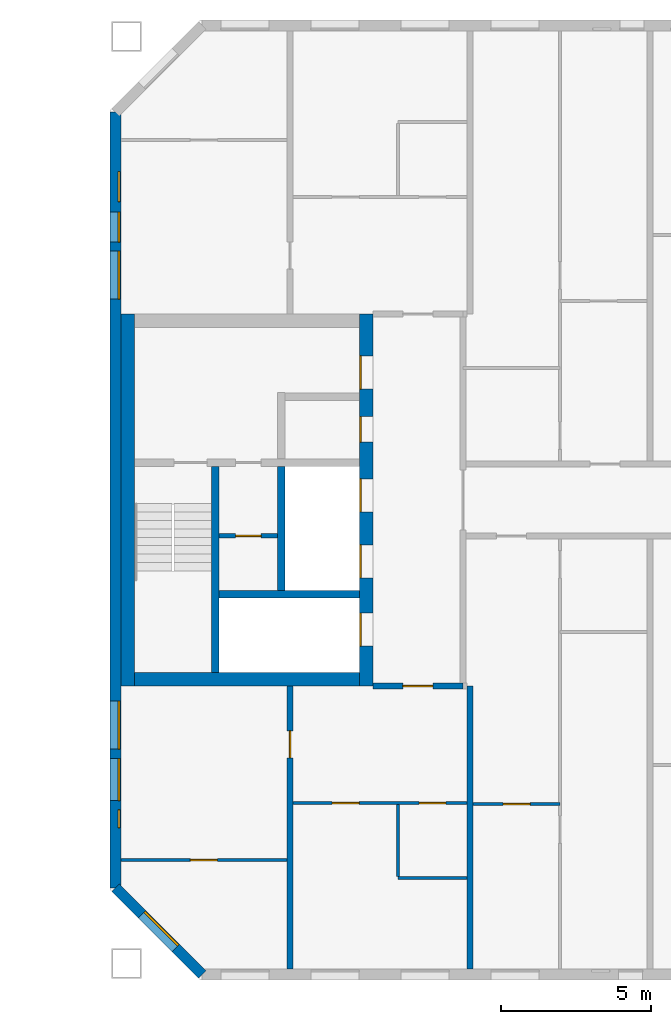
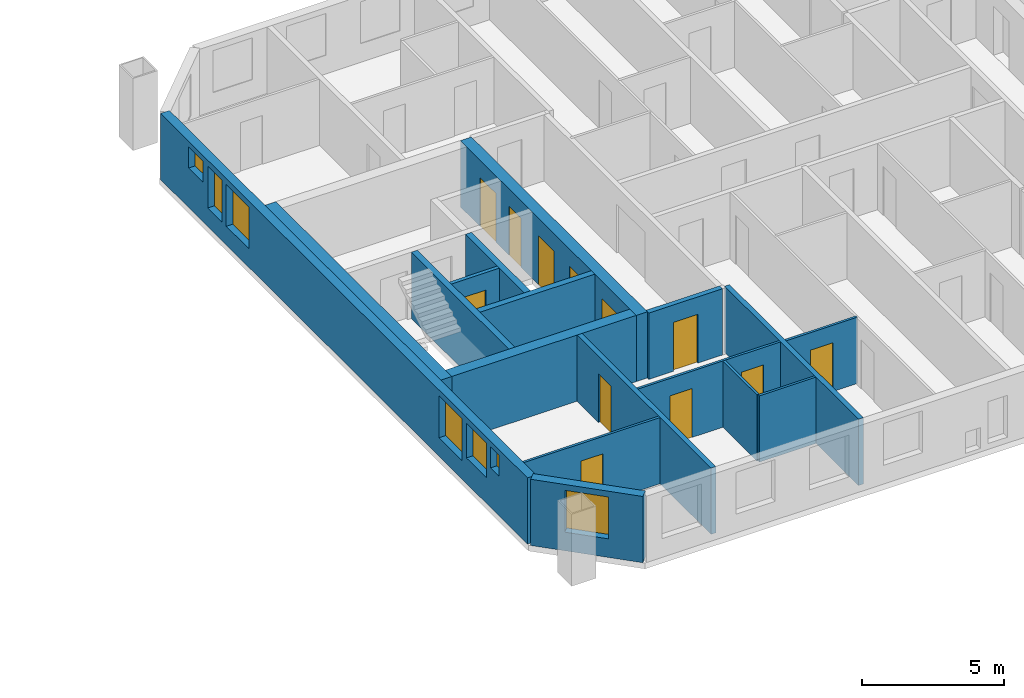
# One storey, part 8 of 15: 17 walls, 12 doors, 7 windows, 19 openings.
"""IFC4 building model written with IfcOpenShell, lengths in metres."""

from ifc_helpers import new_model, si_unit, direction, frame, frame_2d, origin, place, context, subcontext, project, spatial, rectangle, extrude, material, layer, layer_set, type_object, element, fill, save


model = new_model("IFC4")

# Units and contexts
model_context = context("Model", 3, precision=1e-05, world=origin(), true_north=direction((0.0, 1.0)))
body_context = subcontext(model_context, "Body", "Model", "MODEL_VIEW")
ifc_project = project(units=[si_unit("LENGTHUNIT", "METRE"), si_unit("AREAUNIT", "SQUARE_METRE"), si_unit("VOLUMEUNIT", "CUBIC_METRE"), si_unit("PLANEANGLEUNIT", "RADIAN"), si_unit("MASSUNIT", "GRAM", prefix="KILO")], contexts=[model_context])

# Site, building, storey
site_placement = place(None, origin())
site = spatial("IfcSite", under=ifc_project, at=site_placement, CompositionType="ELEMENT")
building_placement = place(site_placement, origin())
building = spatial("IfcBuilding", under=site, at=building_placement, Name="Tuart Gate Housing", CompositionType="ELEMENT")
storey_placement = place(building_placement, frame((0.0, 0.0, 188.199951171875)))
storey = spatial("IfcBuildingStorey", under=building, at=storey_placement, Name="L53", CompositionType="ELEMENT", Elevation=188.199951171875)

# Wall, opening, window
ifc_material_1 = material(Name="Brick", Category="masonry")
ifc_layer_1 = layer(ifc_material_1, 0.360107421875)
ifc_layer_set_1 = layer_set([ifc_layer_1], Name="Brick pier and spandrel wall 360")
wall_type_1 = type_object("IfcWallType", Name="Brick pier and spandrel wall 360", PredefinedType="STANDARD", material=ifc_layer_set_1)
wall_1_placement = place(storey_placement, frame((131.179931640625, 57.07470703125, 0.0), z_axis=(0.0, 0.0, 1.0), x_axis=(0.707106781187, -0.707106781187, 0.0)))
wall_1 = element("IfcWall", 1, at=wall_1_placement, inside=storey, type_object=wall_type_1, Name="External wall B-SW L53", PredefinedType="STANDARD", context=body_context, shape_type="SweptSolid", body=[
    extrude(rectangle(XDim=4.09375, YDim=0.360107421875, at=frame_2d((2.046875, 0.0))), origin(), (0.0, 0.0, 1.0), 2.85009765625),
])
opening_1_placement = place(wall_1_placement, frame((1.2470703125, 0.0, 0.800048828125)))
opening_1 = element("IfcOpeningElement", 2, at=opening_1_placement, cuts=wall_1, Name="Opening W1", PredefinedType="OPENING", context=body_context, shape_type="SweptSolid", body=[
    extrude(rectangle(XDim=1.60009765625, YDim=1.800048828125, at=frame_2d((0.800048828125, 0.89990234375))), frame((0.0, 0.18994140625, 0.0), z_axis=(0.0, -1.0, 0.0), x_axis=(1.0, 0.0, 0.0)), (0.0, 0.0, 1.0), 0.380126953125),
])
ifc_material_2 = material(Name="Aluminium frame with clear glass", Category="aluminium")
window_type_1 = type_object("IfcWindowType", Name="Punched window 1600 x 1800", PartitioningType="SINGLE_PANEL", PredefinedType="WINDOW", material=ifc_material_2)
window_1_placement = place(opening_1_placement, origin())
window_1 = element("IfcWindow", 3, at=window_1_placement, inside=storey, type_object=window_type_1, Name="Window W1", OverallHeight=1.800048828125, OverallWidth=1.60009765625, PartitioningType="SINGLE_PANEL", PredefinedType="WINDOW", context=body_context, shape_type="SweptSolid", body=[
    extrude(rectangle(XDim=1.60009765625, YDim=1.800048828125, at=frame_2d((0.800048828125, 0.89990234375))), frame((0.0, 0.150146484375, 0.0), z_axis=(0.0, -1.0, 0.0), x_axis=(1.0, 0.0, 0.0)), (0.0, 0.0, 1.0), 0.06005859375),
])
fill(opening_1, window_1)

# Wall, openings, windows
wall_2_placement = place(storey_placement, frame((131.179931640625, 82.92529296875, 0.0), z_axis=(0.0, 0.0, 1.0), x_axis=(0.0, -1.0, 0.0)))
wall_2 = element("IfcWall", 4, at=wall_2_placement, inside=storey, type_object=wall_type_1, Name="External wall B-W L53", PredefinedType="STANDARD", context=body_context, shape_type="SweptSolid", body=[
    extrude(rectangle(XDim=25.850830078125, YDim=0.360107421875, at=frame_2d((12.92529296875, 0.0))), origin(), (0.0, 0.0, 1.0), 2.85009765625),
])
opening_2_placement = place(wall_2_placement, frame((1.975341796875, 0.0, 1.699951171875)))
opening_2 = element("IfcOpeningElement", 5, at=opening_2_placement, cuts=wall_2, Name="Opening W1U", PredefinedType="OPENING", context=body_context, shape_type="SweptSolid", body=[
    extrude(rectangle(XDim=1.0, YDim=0.89990234375, at=frame_2d((0.5, 0.449951171875))), frame((0.0, 0.18994140625, 0.0), z_axis=(0.0, -1.0, 0.0), x_axis=(1.0, 0.0, 0.0)), (0.0, 0.0, 1.0), 0.380126953125),
])
opening_3_placement = place(wall_2_placement, frame((4.62548828125, 0.0, 0.800048828125)))
opening_3 = element("IfcOpeningElement", 6, at=opening_3_placement, cuts=wall_2, Name="Opening W1", PredefinedType="OPENING", context=body_context, shape_type="SweptSolid", body=[
    extrude(rectangle(XDim=1.60009765625, YDim=1.800048828125, at=frame_2d((0.800048828125, 0.89990234375))), frame((0.0, 0.18994140625, 0.0), z_axis=(0.0, -1.0, 0.0), x_axis=(1.0, 0.0, 0.0)), (0.0, 0.0, 1.0), 0.380126953125),
])
opening_4_placement = place(wall_2_placement, frame((19.62548828125, 0.0, 0.800048828125)))
opening_4 = element("IfcOpeningElement", 7, at=opening_4_placement, cuts=wall_2, Name="Opening W1", PredefinedType="OPENING", context=body_context, shape_type="SweptSolid", body=[
    extrude(rectangle(XDim=1.60009765625, YDim=1.800048828125, at=frame_2d((0.800048828125, 0.89990234375))), frame((0.0, 0.18994140625, 0.0), z_axis=(0.0, -1.0, 0.0), x_axis=(1.0, 0.0, 0.0)), (0.0, 0.0, 1.0), 0.380126953125),
])
opening_5_placement = place(wall_2_placement, frame((21.55029296875, 0.0, 1.10009765625)))
opening_5 = element("IfcOpeningElement", 8, at=opening_5_placement, cuts=wall_2, Name="Opening W1G", PredefinedType="OPENING", context=body_context, shape_type="SweptSolid", body=[
    extrude(rectangle(XDim=1.39990234375, YDim=1.5, at=frame_2d((0.699951171875, 0.75))), frame((0.0, 0.18994140625, 0.0), z_axis=(0.0, -1.0, 0.0), x_axis=(1.0, 0.0, 0.0)), (0.0, 0.0, 1.0), 0.380126953125),
])
opening_6_placement = place(wall_2_placement, frame((3.325439453125, 0.0, 0.800048828125)))
opening_6 = element("IfcOpeningElement", 9, at=opening_6_placement, cuts=wall_2, Name="Opening W1C", PredefinedType="OPENING", context=body_context, shape_type="SweptSolid", body=[
    extrude(rectangle(XDim=1.0, YDim=1.800048828125, at=frame_2d((0.5, 0.89990234375))), frame((0.0, 0.18994140625, 0.0), z_axis=(0.0, -1.0, 0.0), x_axis=(1.0, 0.0, 0.0)), (0.0, 0.0, 1.0), 0.380126953125),
])
opening_7_placement = place(wall_2_placement, frame((23.25048828125, 0.0, 1.699951171875)))
opening_7 = element("IfcOpeningElement", 10, at=opening_7_placement, cuts=wall_2, Name="Opening W1W", PredefinedType="OPENING", context=body_context, shape_type="SweptSolid", body=[
    extrude(rectangle(XDim=0.60009765625, YDim=0.89990234375, at=frame_2d((0.300048828125, 0.449951171875))), frame((0.0, 0.18994140625, 0.0), z_axis=(0.0, -1.0, 0.0), x_axis=(1.0, 0.0, 0.0)), (0.0, 0.0, 1.0), 0.380126953125),
])
ifc_material_3 = material(Name="Aluminium frame with clear glass", Category="aluminium")
window_type_2 = type_object("IfcWindowType", Name="Punched window 1000 x 1800", PartitioningType="SINGLE_PANEL", PredefinedType="WINDOW", material=ifc_material_3)
window_2_placement = place(opening_6_placement, origin())
window_2 = element("IfcWindow", 11, at=window_2_placement, inside=storey, type_object=window_type_2, Name="Window W1C", OverallHeight=1.800048828125, OverallWidth=1.0, PartitioningType="SINGLE_PANEL", PredefinedType="WINDOW", context=body_context, shape_type="SweptSolid", body=[
    extrude(rectangle(XDim=1.0, YDim=1.800048828125, at=frame_2d((0.5, 0.89990234375))), frame((0.0, 0.150146484375, 0.0), z_axis=(0.0, -1.0, 0.0), x_axis=(1.0, 0.0, 0.0)), (0.0, 0.0, 1.0), 0.06005859375),
])
fill(opening_6, window_2)
ifc_material_4 = material(Name="Aluminium frame with clear glass", Category="aluminium")
window_type_3 = type_object("IfcWindowType", Name="Punched window 1000 x 900", PartitioningType="SINGLE_PANEL", PredefinedType="WINDOW", material=ifc_material_4)
window_3_placement = place(opening_2_placement, origin())
window_3 = element("IfcWindow", 12, at=window_3_placement, inside=storey, type_object=window_type_3, Name="Window W1U", OverallHeight=0.89990234375, OverallWidth=1.0, PartitioningType="SINGLE_PANEL", PredefinedType="WINDOW", context=body_context, shape_type="SweptSolid", body=[
    extrude(rectangle(XDim=1.0, YDim=0.89990234375, at=frame_2d((0.5, 0.449951171875))), frame((0.0, 0.150146484375, 0.0), z_axis=(0.0, -1.0, 0.0), x_axis=(1.0, 0.0, 0.0)), (0.0, 0.0, 1.0), 0.06005859375),
])
fill(opening_2, window_3)
ifc_material_5 = material(Name="Aluminium frame with clear glass", Category="aluminium")
window_type_4 = type_object("IfcWindowType", Name="Punched window 1400 x 1500", PartitioningType="SINGLE_PANEL", PredefinedType="WINDOW", material=ifc_material_5)
window_4_placement = place(opening_5_placement, origin())
window_4 = element("IfcWindow", 13, at=window_4_placement, inside=storey, type_object=window_type_4, Name="Window W1G", OverallHeight=1.5, OverallWidth=1.39990234375, PartitioningType="SINGLE_PANEL", PredefinedType="WINDOW", context=body_context, shape_type="SweptSolid", body=[
    extrude(rectangle(XDim=1.39990234375, YDim=1.5, at=frame_2d((0.699951171875, 0.75))), frame((0.0, 0.150146484375, 0.0), z_axis=(0.0, -1.0, 0.0), x_axis=(1.0, 0.0, 0.0)), (0.0, 0.0, 1.0), 0.06005859375),
])
fill(opening_5, window_4)
window_5_placement = place(opening_3_placement, origin())
window_5 = element("IfcWindow", 14, at=window_5_placement, inside=storey, type_object=window_type_1, Name="Window W1", OverallHeight=1.800048828125, OverallWidth=1.60009765625, PartitioningType="SINGLE_PANEL", PredefinedType="WINDOW", context=body_context, shape_type="SweptSolid", body=[
    extrude(rectangle(XDim=1.60009765625, YDim=1.800048828125, at=frame_2d((0.800048828125, 0.89990234375))), frame((0.0, 0.150146484375, 0.0), z_axis=(0.0, -1.0, 0.0), x_axis=(1.0, 0.0, 0.0)), (0.0, 0.0, 1.0), 0.06005859375),
])
fill(opening_3, window_5)
window_6_placement = place(opening_4_placement, origin())
window_6 = element("IfcWindow", 15, at=window_6_placement, inside=storey, type_object=window_type_1, Name="Window W1", OverallHeight=1.800048828125, OverallWidth=1.60009765625, PartitioningType="SINGLE_PANEL", PredefinedType="WINDOW", context=body_context, shape_type="SweptSolid", body=[
    extrude(rectangle(XDim=1.60009765625, YDim=1.800048828125, at=frame_2d((0.800048828125, 0.89990234375))), frame((0.0, 0.150146484375, 0.0), z_axis=(0.0, -1.0, 0.0), x_axis=(1.0, 0.0, 0.0)), (0.0, 0.0, 1.0), 0.06005859375),
])
fill(opening_4, window_6)
ifc_material_6 = material(Name="Aluminium frame with clear glass", Category="aluminium")
window_type_5 = type_object("IfcWindowType", Name="Punched window 600 x 900", PartitioningType="SINGLE_PANEL", PredefinedType="WINDOW", material=ifc_material_6)
window_7_placement = place(opening_7_placement, origin())
window_7 = element("IfcWindow", 16, at=window_7_placement, inside=storey, type_object=window_type_5, Name="Window W1W", OverallHeight=0.89990234375, OverallWidth=0.60009765625, PartitioningType="SINGLE_PANEL", PredefinedType="WINDOW", context=body_context, shape_type="SweptSolid", body=[
    extrude(rectangle(XDim=0.60009765625, YDim=0.89990234375, at=frame_2d((0.300048828125, 0.449951171875))), frame((0.0, 0.150146484375, 0.0), z_axis=(0.0, -1.0, 0.0), x_axis=(1.0, 0.0, 0.0)), (0.0, 0.0, 1.0), 0.06005859375),
])
fill(opening_7, window_7)

# Wall, opening, door
ifc_material_7 = material(Name="Plasterboard partition")
ifc_layer_2 = layer(ifc_material_7, 0.14990234375)
ifc_layer_set_2 = layer_set([ifc_layer_2], Name="Core partition 150")
wall_type_2 = type_object("IfcWallType", Name="Core partition 150", PredefinedType="PARTITIONING", material=ifc_layer_set_2)
wall_3_placement = place(storey_placement, frame((136.5849609375, 68.800048828125, 0.0), z_axis=(0.0, 0.0, 1.0), x_axis=(-1.0, 0.0, 0.0)))
wall_3 = element("IfcWall", 17, at=wall_3_placement, inside=storey, type_object=wall_type_2, Name="Core partition BG.2", PredefinedType="PARTITIONING", context=body_context, shape_type="SweptSolid", body=[
    extrude(rectangle(XDim=1.949951171875, YDim=0.14990234375, at=frame_2d((0.97509765625, 0.0))), origin(), (0.0, 0.0, 1.0), 2.85009765625),
])
opening_8_placement = place(wall_3_placement, frame((0.550048828125, 0.0, 0.0)))
opening_8 = element("IfcOpeningElement", 18, at=opening_8_placement, cuts=wall_3, Name="Opening D1925", PredefinedType="OPENING", context=body_context, shape_type="SweptSolid", body=[
    extrude(rectangle(XDim=0.85009765625, YDim=2.10009765625, at=frame_2d((0.425048828125, 1.050048828125))), frame((0.0, 0.0849609375, 0.0), z_axis=(0.0, -1.0, 0.0), x_axis=(1.0, 0.0, 0.0)), (0.0, 0.0, 1.0), 0.169921875),
])
ifc_material_8 = material(Name="Steel fire door", Category="steel")
door_type_1 = type_object("IfcDoorType", Name="Service door 850 x 2100 RH", OperationType="SINGLE_SWING_RIGHT", PredefinedType="DOOR", material=ifc_material_8)
door_1_placement = place(opening_8_placement, frame((0.85009765625, 0.0, 0.0), z_axis=(0.0, 0.0, 1.0), x_axis=(-1.0, 0.0, 0.0)))
door_1 = element("IfcDoor", 19, at=door_1_placement, inside=storey, type_object=door_type_1, Name="Service room door BG.W2", OperationType="SINGLE_SWING_RIGHT", OverallHeight=2.10009765625, OverallWidth=0.85009765625, PredefinedType="DOOR", context=body_context, shape_type="SweptSolid", body=[
    extrude(rectangle(XDim=0.85009765625, YDim=2.10009765625, at=frame_2d((0.425048828125, 1.050048828125))), frame((0.0, 0.025146484375, 0.0), z_axis=(0.0, -1.0, 0.0), x_axis=(1.0, 0.0, 0.0)), (0.0, 0.0, 1.0), 0.050048828125),
])
fill(opening_8, door_1)

# Walls
ifc_material_9 = material(Name="Concrete C40", Category="concrete")
ifc_layer_3 = layer(ifc_material_9, 0.25)
ifc_layer_set_3 = layer_set([ifc_layer_3], Name="Core wall 250 C40")
wall_type_3 = type_object("IfcWallType", Name="Core wall 250 C40", PredefinedType="SHEAR", material=ifc_layer_set_3)
wall_4_placement = place(storey_placement, frame((139.31005859375, 66.85009765625, 0.0), z_axis=(0.0, 0.0, 1.0), x_axis=(-1.0, 0.0, 0.0)))
element("IfcWall", 20, at=wall_4_placement, inside=storey, type_object=wall_type_3, Name="Core wall BG.1", PredefinedType="SHEAR", context=body_context, shape_type="SweptSolid", body=[
    extrude(rectangle(XDim=4.675048828125, YDim=0.25, at=frame_2d((2.33740234375, 0.0))), origin(), (0.0, 0.0, 1.0), 2.85009765625),
])
wall_5_placement = place(storey_placement, frame((136.7099609375, 66.97509765625, 0.0), z_axis=(0.0, 0.0, 1.0), x_axis=(0.0, 1.0, 0.0)))
element("IfcWall", 21, at=wall_5_placement, inside=storey, type_object=wall_type_3, Name="Core wall BG.5", PredefinedType="SHEAR", context=body_context, shape_type="SweptSolid", body=[
    extrude(rectangle(XDim=4.14990234375, YDim=0.25, at=frame_2d((2.074951171875, 0.0))), origin(), (0.0, 0.0, 1.0), 2.85009765625),
])
wall_6_placement = place(storey_placement, frame((134.510009765625, 64.25, 0.0), z_axis=(0.0, 0.0, 1.0), x_axis=(0.0, 1.0, 0.0)))
element("IfcWall", 22, at=wall_6_placement, inside=storey, type_object=wall_type_3, Name="Core wall BG.7", PredefinedType="SHEAR", context=body_context, shape_type="SweptSolid", body=[
    extrude(rectangle(XDim=6.875, YDim=0.25, at=frame_2d((3.4375, 0.0))), origin(), (0.0, 0.0, 1.0), 2.85009765625),
])

# Wall, openings, doors
ifc_material_10 = material(Name="Concrete C40", Category="concrete")
ifc_layer_4 = layer(ifc_material_10, 0.449951171875)
ifc_layer_set_4 = layer_set([ifc_layer_4], Name="Core wall 450 C40")
wall_type_4 = type_object("IfcWallType", Name="Core wall 450 C40", PredefinedType="SHEAR", material=ifc_layer_set_4)
wall_7_placement = place(storey_placement, frame((139.534912109375, 63.800048828125, 0.0), z_axis=(0.0, 0.0, 1.0), x_axis=(0.0, 1.0, 0.0)))
wall_7 = element("IfcWall", 23, at=wall_7_placement, inside=storey, type_object=wall_type_4, Name="Core wall BG front", PredefinedType="SHEAR", context=body_context, shape_type="SweptSolid", body=[
    extrude(rectangle(XDim=12.39990234375, YDim=0.449951171875, at=frame_2d((6.199951171875, 0.0))), origin(), (0.0, 0.0, 1.0), 2.85009765625),
])
opening_9_placement = place(wall_7_placement, frame((1.324951171875, 0.0, 0.0)))
opening_9 = element("IfcOpeningElement", 24, at=opening_9_placement, cuts=wall_7, Name="Opening LD-FB1", PredefinedType="OPENING", context=body_context, shape_type="SweptSolid", body=[
    extrude(rectangle(XDim=1.10009765625, YDim=2.10009765625, at=frame_2d((0.550048828125, 1.050048828125))), frame((0.0, 0.23486328125, 0.0), z_axis=(0.0, -1.0, 0.0), x_axis=(1.0, 0.0, 0.0)), (0.0, 0.0, 1.0), 0.469970703125),
])
opening_10_placement = place(wall_7_placement, frame((3.60009765625, 0.0, 0.0)))
opening_10 = element("IfcOpeningElement", 25, at=opening_10_placement, cuts=wall_7, Name="Opening LD-LB1", PredefinedType="OPENING", context=body_context, shape_type="SweptSolid", body=[
    extrude(rectangle(XDim=1.10009765625, YDim=2.10009765625, at=frame_2d((0.550048828125, 1.050048828125))), frame((0.0, 0.23486328125, 0.0), z_axis=(0.0, -1.0, 0.0), x_axis=(1.0, 0.0, 0.0)), (0.0, 0.0, 1.0), 0.469970703125),
])
opening_11_placement = place(wall_7_placement, frame((5.800048828125, 0.0, 0.0)))
opening_11 = element("IfcOpeningElement", 26, at=opening_11_placement, cuts=wall_7, Name="Opening LD-LB2", PredefinedType="OPENING", context=body_context, shape_type="SweptSolid", body=[
    extrude(rectangle(XDim=1.10009765625, YDim=2.10009765625, at=frame_2d((0.550048828125, 1.050048828125))), frame((0.0, 0.23486328125, 0.0), z_axis=(0.0, -1.0, 0.0), x_axis=(1.0, 0.0, 0.0)), (0.0, 0.0, 1.0), 0.469970703125),
])
opening_12_placement = place(wall_7_placement, frame((9.89990234375, 0.0, 0.0)))
opening_12 = element("IfcOpeningElement", 27, at=opening_12_placement, cuts=wall_7, Name="Opening D1917", PredefinedType="OPENING", context=body_context, shape_type="SweptSolid", body=[
    extrude(rectangle(XDim=1.10009765625, YDim=2.10009765625, at=frame_2d((0.550048828125, 1.050048828125))), frame((0.0, 0.23486328125, 0.0), z_axis=(0.0, -1.0, 0.0), x_axis=(1.0, 0.0, 0.0)), (0.0, 0.0, 1.0), 0.469970703125),
])
opening_13_placement = place(wall_7_placement, frame((8.125, 0.0, 0.0)))
opening_13 = element("IfcOpeningElement", 28, at=opening_13_placement, cuts=wall_7, Name="Opening D1918", PredefinedType="OPENING", context=body_context, shape_type="SweptSolid", body=[
    extrude(rectangle(XDim=0.85009765625, YDim=2.10009765625, at=frame_2d((0.425048828125, 1.050048828125))), frame((0.0, 0.23486328125, 0.0), z_axis=(0.0, -1.0, 0.0), x_axis=(1.0, 0.0, 0.0)), (0.0, 0.0, 1.0), 0.469970703125),
])
ifc_material_11 = material(Name="Stainless steel", Category="steel")
door_type_2 = type_object("IfcDoorType", Name="Landing door 1100 x 2100", OperationType="DOUBLE_DOOR_SLIDING", PredefinedType="DOOR", material=ifc_material_11)
door_2_placement = place(opening_9_placement, origin())
door_2 = element("IfcDoor", 29, at=door_2_placement, inside=storey, type_object=door_type_2, Name="Lift landing door FB1", OperationType="DOUBLE_DOOR_SLIDING", OverallHeight=2.10009765625, OverallWidth=1.10009765625, PredefinedType="DOOR", context=body_context, shape_type="SweptSolid", body=[
    extrude(rectangle(XDim=1.10009765625, YDim=2.10009765625, at=frame_2d((0.550048828125, 1.050048828125))), frame((0.0, 0.2099609375, 0.0), z_axis=(0.0, -1.0, 0.0), x_axis=(1.0, 0.0, 0.0)), (0.0, 0.0, 1.0), 0.050048828125),
])
fill(opening_9, door_2)
door_3_placement = place(opening_10_placement, origin())
door_3 = element("IfcDoor", 30, at=door_3_placement, inside=storey, type_object=door_type_2, Name="Lift landing door LB1", OperationType="DOUBLE_DOOR_SLIDING", OverallHeight=2.10009765625, OverallWidth=1.10009765625, PredefinedType="DOOR", context=body_context, shape_type="SweptSolid", body=[
    extrude(rectangle(XDim=1.10009765625, YDim=2.10009765625, at=frame_2d((0.550048828125, 1.050048828125))), frame((0.0, 0.2099609375, 0.0), z_axis=(0.0, -1.0, 0.0), x_axis=(1.0, 0.0, 0.0)), (0.0, 0.0, 1.0), 0.050048828125),
])
fill(opening_10, door_3)
door_4_placement = place(opening_11_placement, origin())
door_4 = element("IfcDoor", 31, at=door_4_placement, inside=storey, type_object=door_type_2, Name="Lift landing door LB2", OperationType="DOUBLE_DOOR_SLIDING", OverallHeight=2.10009765625, OverallWidth=1.10009765625, PredefinedType="DOOR", context=body_context, shape_type="SweptSolid", body=[
    extrude(rectangle(XDim=1.10009765625, YDim=2.10009765625, at=frame_2d((0.550048828125, 1.050048828125))), frame((0.0, 0.2099609375, 0.0), z_axis=(0.0, -1.0, 0.0), x_axis=(1.0, 0.0, 0.0)), (0.0, 0.0, 1.0), 0.050048828125),
])
fill(opening_11, door_4)
ifc_material_12 = material(Name="Steel fire door", Category="steel")
door_type_3 = type_object("IfcDoorType", Name="Lobby door 1100 x 2100", OperationType="SINGLE_SWING_LEFT", PredefinedType="DOOR", material=ifc_material_12)
door_5_placement = place(opening_12_placement, origin())
door_5 = element("IfcDoor", 32, at=door_5_placement, inside=storey, type_object=door_type_3, Name="Lobby entry door BG.EN", OperationType="SINGLE_SWING_LEFT", OverallHeight=2.10009765625, OverallWidth=1.10009765625, PredefinedType="DOOR", context=body_context, shape_type="SweptSolid", body=[
    extrude(rectangle(XDim=1.10009765625, YDim=2.10009765625, at=frame_2d((0.550048828125, 1.050048828125))), frame((0.0, 0.2099609375, 0.0), z_axis=(0.0, -1.0, 0.0), x_axis=(1.0, 0.0, 0.0)), (0.0, 0.0, 1.0), 0.050048828125),
])
fill(opening_12, door_5)
ifc_material_13 = material(Name="Steel fire door", Category="steel")
door_type_4 = type_object("IfcDoorType", Name="Service door 850 x 2100", OperationType="SINGLE_SWING_LEFT", PredefinedType="DOOR", material=ifc_material_13)
door_6_placement = place(opening_13_placement, origin())
door_6 = element("IfcDoor", 33, at=door_6_placement, inside=storey, type_object=door_type_4, Name="Service room door BG.T1", OperationType="SINGLE_SWING_LEFT", OverallHeight=2.10009765625, OverallWidth=0.85009765625, PredefinedType="DOOR", context=body_context, shape_type="SweptSolid", body=[
    extrude(rectangle(XDim=0.85009765625, YDim=2.10009765625, at=frame_2d((0.425048828125, 1.050048828125))), frame((0.0, 0.2099609375, 0.0), z_axis=(0.0, -1.0, 0.0), x_axis=(1.0, 0.0, 0.0)), (0.0, 0.0, 1.0), 0.050048828125),
])
fill(opening_13, door_6)

# Walls
wall_8_placement = place(storey_placement, frame((131.5849609375, 63.800048828125, 0.0), z_axis=(0.0, 0.0, 1.0), x_axis=(0.0, 1.0, 0.0)))
element("IfcWall", 34, at=wall_8_placement, inside=storey, type_object=wall_type_4, Name="Core wall BG back", PredefinedType="SHEAR", context=body_context, shape_type="SweptSolid", body=[
    extrude(rectangle(XDim=12.39990234375, YDim=0.449951171875, at=frame_2d((6.199951171875, 0.0))), origin(), (0.0, 0.0, 1.0), 2.85009765625),
])
wall_9_placement = place(storey_placement, frame((139.31005859375, 64.02490234375, 0.0), z_axis=(0.0, 0.0, 1.0), x_axis=(-1.0, 0.0, 0.0)))
element("IfcWall", 35, at=wall_9_placement, inside=storey, type_object=wall_type_4, Name="Core wall BG south", PredefinedType="SHEAR", context=body_context, shape_type="SweptSolid", body=[
    extrude(rectangle(XDim=7.5, YDim=0.449951171875, at=frame_2d((3.75, 0.0))), origin(), (0.0, 0.0, 1.0), 2.85009765625),
])

# Wall, opening, door
ifc_material_14 = material(Name="Concrete masonry 15 MPa", Category="masonry")
ifc_layer_5 = layer(ifc_material_14, 0.199951171875)
ifc_layer_set_5 = layer_set([ifc_layer_5], Name="Enclosure wall masonry 200")
wall_type_5 = type_object("IfcWallType", Name="Enclosure wall masonry 200", PredefinedType="PARTITIONING", material=ifc_layer_set_5)
wall_10_placement = place(storey_placement, frame((139.760009765625, 63.800048828125, 0.0), z_axis=(0.0, 0.0, 1.0), x_axis=(1.0, 0.0, 0.0)))
wall_10 = element("IfcWall", 36, at=wall_10_placement, inside=storey, type_object=wall_type_5, Name="Enclosure wall masonry 200", PredefinedType="PARTITIONING", context=body_context, shape_type="SweptSolid", body=[
    extrude(rectangle(XDim=3.0, YDim=0.199951171875, at=frame_2d((1.5, 0.0))), origin(), (0.0, 0.0, 1.0), 2.85009765625),
])
opening_14_placement = place(wall_10_placement, frame((1.0, 0.0, 0.0)))
opening_14 = element("IfcOpeningElement", 37, at=opening_14_placement, cuts=wall_10, Name="Opening D1930", PredefinedType="OPENING", context=body_context, shape_type="SweptSolid", body=[
    extrude(rectangle(XDim=1.0, YDim=2.10009765625, at=frame_2d((0.5, 1.050048828125))), frame((0.0, 0.10986328125, 0.0), z_axis=(0.0, -1.0, 0.0), x_axis=(1.0, 0.0, 0.0)), (0.0, 0.0, 1.0), 0.219970703125),
])
ifc_material_15 = material(Name="Timber door leaf in steel frame", Category="steel")
door_type_5 = type_object("IfcDoorType", Name="Flat entrance door 1000", OperationType="SINGLE_SWING_LEFT", PredefinedType="DOOR", material=ifc_material_15)
door_7_placement = place(opening_14_placement, frame((1.0, 0.0, 0.0), z_axis=(0.0, 0.0, 1.0), x_axis=(-1.0, 0.0, 0.0)))
door_7 = element("IfcDoor", 38, at=door_7_placement, inside=storey, type_object=door_type_5, Name="Flat entrance door", OperationType="SINGLE_SWING_LEFT", OverallHeight=2.10009765625, OverallWidth=1.0, PredefinedType="DOOR", context=body_context, shape_type="SweptSolid", body=[
    extrude(rectangle(XDim=1.0, YDim=2.10009765625, at=frame_2d((0.5, 1.050048828125))), frame((0.0, 0.025146484375, 0.0), z_axis=(0.0, -1.0, 0.0), x_axis=(1.0, 0.0, 0.0)), (0.0, 0.0, 1.0), 0.050048828125),
])
fill(opening_14, door_7)

# Wall
ifc_material_16 = material(Name="Gypsum board on steel studs", Category="steel")
ifc_layer_6 = layer(ifc_material_16, 0.10009765625)
ifc_layer_set_6 = layer_set([ifc_layer_6], Name="Partition 100")
wall_type_6 = type_object("IfcWallType", Name="Partition 100", PredefinedType="PARTITIONING", material=ifc_layer_set_6)
wall_11_placement = place(storey_placement, frame((140.60009765625, 57.39990234375, 0.0), z_axis=(0.0, 0.0, 1.0), x_axis=(1.0, 0.0, 0.0)))
element("IfcWall", 39, at=wall_11_placement, inside=storey, type_object=wall_type_6, Name="Partition 100", PredefinedType="PARTITIONING", context=body_context, shape_type="SweptSolid", body=[
    extrude(rectangle(XDim=2.2998046875, YDim=0.10009765625, at=frame_2d((1.14990234375, 0.0))), origin(), (0.0, 0.0, 1.0), 2.85009765625),
])

# Wall, opening, door
wall_12_placement = place(storey_placement, frame((131.360107421875, 58.0, 0.0), z_axis=(0.0, 0.0, 1.0), x_axis=(1.0, 0.0, 0.0)))
wall_12 = element("IfcWall", 40, at=wall_12_placement, inside=storey, type_object=wall_type_6, Name="Partition 100", PredefinedType="PARTITIONING", context=body_context, shape_type="SweptSolid", body=[
    extrude(rectangle(XDim=5.539794921875, YDim=0.10009765625, at=frame_2d((2.77001953125, 0.0))), origin(), (0.0, 0.0, 1.0), 2.85009765625),
])
opening_15_placement = place(wall_12_placement, frame((2.320068359375, 0.0, 0.0)))
opening_15 = element("IfcOpeningElement", 41, at=opening_15_placement, cuts=wall_12, Name="Opening D1945", PredefinedType="OPENING", context=body_context, shape_type="SweptSolid", body=[
    extrude(rectangle(XDim=0.89990234375, YDim=2.10009765625, at=frame_2d((0.449951171875, 1.050048828125))), frame((0.0, 0.06005859375, 0.0), z_axis=(0.0, -1.0, 0.0), x_axis=(1.0, 0.0, 0.0)), (0.0, 0.0, 1.0), 0.1201171875),
])
ifc_material_17 = material(Name="Timber door leaf in steel frame", Category="steel")
door_type_6 = type_object("IfcDoorType", Name="Internal door 900 RH", OperationType="SINGLE_SWING_RIGHT", PredefinedType="DOOR", material=ifc_material_17)
door_8_placement = place(opening_15_placement, frame((0.89990234375, 0.0, 0.0), z_axis=(0.0, 0.0, 1.0), x_axis=(-1.0, 0.0, 0.0)))
door_8 = element("IfcDoor", 42, at=door_8_placement, inside=storey, type_object=door_type_6, Name="Internal door", OperationType="SINGLE_SWING_RIGHT", OverallHeight=2.10009765625, OverallWidth=0.89990234375, PredefinedType="DOOR", context=body_context, shape_type="SweptSolid", body=[
    extrude(rectangle(XDim=0.89990234375, YDim=2.10009765625, at=frame_2d((0.449951171875, 1.050048828125))), frame((0.0, 0.025146484375, 0.0), z_axis=(0.0, -1.0, 0.0), x_axis=(1.0, 0.0, 0.0)), (0.0, 0.0, 1.0), 0.050048828125),
])
fill(opening_15, door_8)

wall_13_placement = place(storey_placement, frame((143.10009765625, 59.860107421875, 0.0), z_axis=(0.0, 0.0, 1.0), x_axis=(1.0, 0.0, 0.0)))
wall_13 = element("IfcWall", 43, at=wall_13_placement, inside=storey, type_object=wall_type_6, Name="Partition 100", PredefinedType="PARTITIONING", context=body_context, shape_type="SweptSolid", body=[
    extrude(rectangle(XDim=2.89990234375, YDim=0.10009765625, at=frame_2d((1.449951171875, 0.0))), origin(), (0.0, 0.0, 1.0), 2.85009765625),
])
opening_16_placement = place(wall_13_placement, frame((1.0, 0.0, 0.0)))
opening_16 = element("IfcOpeningElement", 44, at=opening_16_placement, cuts=wall_13, Name="Opening D1943", PredefinedType="OPENING", context=body_context, shape_type="SweptSolid", body=[
    extrude(rectangle(XDim=0.89990234375, YDim=2.10009765625, at=frame_2d((0.449951171875, 1.050048828125))), frame((0.0, 0.06005859375, 0.0), z_axis=(0.0, -1.0, 0.0), x_axis=(1.0, 0.0, 0.0)), (0.0, 0.0, 1.0), 0.1201171875),
])
door_9_placement = place(opening_16_placement, origin())
door_9 = element("IfcDoor", 45, at=door_9_placement, inside=storey, type_object=door_type_6, Name="Internal door", OperationType="SINGLE_SWING_RIGHT", OverallHeight=2.10009765625, OverallWidth=0.89990234375, PredefinedType="DOOR", context=body_context, shape_type="SweptSolid", body=[
    extrude(rectangle(XDim=0.89990234375, YDim=2.10009765625, at=frame_2d((0.449951171875, 1.050048828125))), frame((0.0, 0.02490234375, 0.0), z_axis=(0.0, -1.0, 0.0), x_axis=(1.0, 0.0, 0.0)), (0.0, 0.0, 1.0), 0.050048828125),
])
fill(opening_16, door_9)

# Wall, openings, doors
wall_14_placement = place(storey_placement, frame((137.10009765625, 59.89990234375, 0.0), z_axis=(0.0, 0.0, 1.0), x_axis=(1.0, 0.0, 0.0)))
wall_14 = element("IfcWall", 46, at=wall_14_placement, inside=storey, type_object=wall_type_6, Name="Partition 100", PredefinedType="PARTITIONING", context=body_context, shape_type="SweptSolid", body=[
    extrude(rectangle(XDim=5.7998046875, YDim=0.10009765625, at=frame_2d((2.89990234375, 0.0))), origin(), (0.0, 0.0, 1.0), 2.85009765625),
])
opening_17_placement = place(wall_14_placement, frame((1.300048828125, 0.0, 0.0)))
opening_17 = element("IfcOpeningElement", 47, at=opening_17_placement, cuts=wall_14, Name="Opening D1940", PredefinedType="OPENING", context=body_context, shape_type="SweptSolid", body=[
    extrude(rectangle(XDim=0.89990234375, YDim=2.10009765625, at=frame_2d((0.449951171875, 1.050048828125))), frame((0.0, 0.06005859375, 0.0), z_axis=(0.0, -1.0, 0.0), x_axis=(1.0, 0.0, 0.0)), (0.0, 0.0, 1.0), 0.1201171875),
])
opening_18_placement = place(wall_14_placement, frame((4.199951171875, 0.0, 0.0)))
opening_18 = element("IfcOpeningElement", 48, at=opening_18_placement, cuts=wall_14, Name="Opening D1939", PredefinedType="OPENING", context=body_context, shape_type="SweptSolid", body=[
    extrude(rectangle(XDim=0.89990234375, YDim=2.10009765625, at=frame_2d((0.449951171875, 1.050048828125))), frame((0.0, 0.06005859375, 0.0), z_axis=(0.0, -1.0, 0.0), x_axis=(1.0, 0.0, 0.0)), (0.0, 0.0, 1.0), 0.1201171875),
])
ifc_material_18 = material(Name="Timber door leaf in steel frame", Category="steel")
door_type_7 = type_object("IfcDoorType", Name="Bathroom door 900 RH", OperationType="SINGLE_SWING_RIGHT", PredefinedType="DOOR", material=ifc_material_18)
door_10_placement = place(opening_18_placement, frame((0.89990234375, 0.0, 0.0), z_axis=(0.0, 0.0, 1.0), x_axis=(-1.0, 0.0, 0.0)))
door_10 = element("IfcDoor", 49, at=door_10_placement, inside=storey, type_object=door_type_7, Name="Bathroom door", OperationType="SINGLE_SWING_RIGHT", OverallHeight=2.10009765625, OverallWidth=0.89990234375, PredefinedType="DOOR", context=body_context, shape_type="SweptSolid", body=[
    extrude(rectangle(XDim=0.89990234375, YDim=2.10009765625, at=frame_2d((0.449951171875, 1.050048828125))), frame((0.0, 0.025146484375, 0.0), z_axis=(0.0, -1.0, 0.0), x_axis=(1.0, 0.0, 0.0)), (0.0, 0.0, 1.0), 0.050048828125),
])
fill(opening_18, door_10)
ifc_material_19 = material(Name="Timber door leaf in steel frame", Category="steel")
door_type_8 = type_object("IfcDoorType", Name="Internal door 900", OperationType="SINGLE_SWING_LEFT", PredefinedType="DOOR", material=ifc_material_19)
door_11_placement = place(opening_17_placement, frame((0.89990234375, 0.0, 0.0), z_axis=(0.0, 0.0, 1.0), x_axis=(-1.0, 0.0, 0.0)))
door_11 = element("IfcDoor", 50, at=door_11_placement, inside=storey, type_object=door_type_8, Name="Internal door", OperationType="SINGLE_SWING_LEFT", OverallHeight=2.10009765625, OverallWidth=0.89990234375, PredefinedType="DOOR", context=body_context, shape_type="SweptSolid", body=[
    extrude(rectangle(XDim=0.89990234375, YDim=2.10009765625, at=frame_2d((0.449951171875, 1.050048828125))), frame((0.0, 0.025146484375, 0.0), z_axis=(0.0, -1.0, 0.0), x_axis=(1.0, 0.0, 0.0)), (0.0, 0.0, 1.0), 0.050048828125),
])
fill(opening_17, door_11)

# Wall
wall_15_placement = place(storey_placement, frame((140.60009765625, 57.449951171875, 0.0), z_axis=(0.0, 0.0, 1.0), x_axis=(0.0, 1.0, 0.0)))
element("IfcWall", 51, at=wall_15_placement, inside=storey, type_object=wall_type_6, Name="Partition 100", PredefinedType="PARTITIONING", context=body_context, shape_type="SweptSolid", body=[
    extrude(rectangle(XDim=2.400146484375, YDim=0.10009765625, at=frame_2d((1.2001953125, 0.0))), origin(), (0.0, 0.0, 1.0), 2.85009765625),
])

# Wall, opening, door
ifc_material_20 = material(Name="Concrete C40", Category="concrete")
ifc_layer_7 = layer(ifc_material_20, 0.199951171875)
ifc_layer_set_7 = layer_set([ifc_layer_7], Name="Party wall concrete C40 200")
wall_type_7 = type_object("IfcWallType", Name="Party wall concrete C40 200", PredefinedType="SOLIDWALL", material=ifc_layer_set_7)
wall_16_placement = place(storey_placement, frame((137.0, 54.360107421875, 0.0), z_axis=(0.0, 0.0, 1.0), x_axis=(0.0, 1.0, 0.0)))
wall_16 = element("IfcWall", 52, at=wall_16_placement, inside=storey, type_object=wall_type_7, Name="Party wall concrete C40 200", PredefinedType="SOLIDWALL", context=body_context, shape_type="SweptSolid", body=[
    extrude(rectangle(XDim=9.43994140625, YDim=0.199951171875, at=frame_2d((4.719970703125, 0.0))), origin(), (0.0, 0.0, 1.0), 2.85009765625),
])
opening_19_placement = place(wall_16_placement, frame((7.0400390625, 0.0, 0.0)))
opening_19 = element("IfcOpeningElement", 53, at=opening_19_placement, cuts=wall_16, Name="Opening D1944", PredefinedType="OPENING", context=body_context, shape_type="SweptSolid", body=[
    extrude(rectangle(XDim=0.89990234375, YDim=2.10009765625, at=frame_2d((0.449951171875, 1.050048828125))), frame((0.0, 0.10986328125, 0.0), z_axis=(0.0, -1.0, 0.0), x_axis=(1.0, 0.0, 0.0)), (0.0, 0.0, 1.0), 0.219970703125),
])
door_12_placement = place(opening_19_placement, frame((0.89990234375, 0.0, 0.0), z_axis=(0.0, 0.0, 1.0), x_axis=(-1.0, 0.0, 0.0)))
door_12 = element("IfcDoor", 54, at=door_12_placement, inside=storey, type_object=door_type_6, Name="Internal door", OperationType="SINGLE_SWING_RIGHT", OverallHeight=2.10009765625, OverallWidth=0.89990234375, PredefinedType="DOOR", context=body_context, shape_type="SweptSolid", body=[
    extrude(rectangle(XDim=0.89990234375, YDim=2.10009765625, at=frame_2d((0.449951171875, 1.050048828125))), frame((0.0, 0.025146484375, 0.0), z_axis=(0.0, -1.0, 0.0), x_axis=(1.0, 0.0, 0.0)), (0.0, 0.0, 1.0), 0.050048828125),
])
fill(opening_19, door_12)

# Wall
wall_17_placement = place(storey_placement, frame((143.0, 54.360107421875, 0.0), z_axis=(0.0, 0.0, 1.0), x_axis=(0.0, 1.0, 0.0)))
element("IfcWall", 55, at=wall_17_placement, inside=storey, type_object=wall_type_7, Name="Party wall concrete C40 200", PredefinedType="SOLIDWALL", context=body_context, shape_type="SweptSolid", body=[
    extrude(rectangle(XDim=9.43994140625, YDim=0.199951171875, at=frame_2d((4.719970703125, 0.0))), origin(), (0.0, 0.0, 1.0), 2.85009765625),
])

save(model, "model.ifc")
